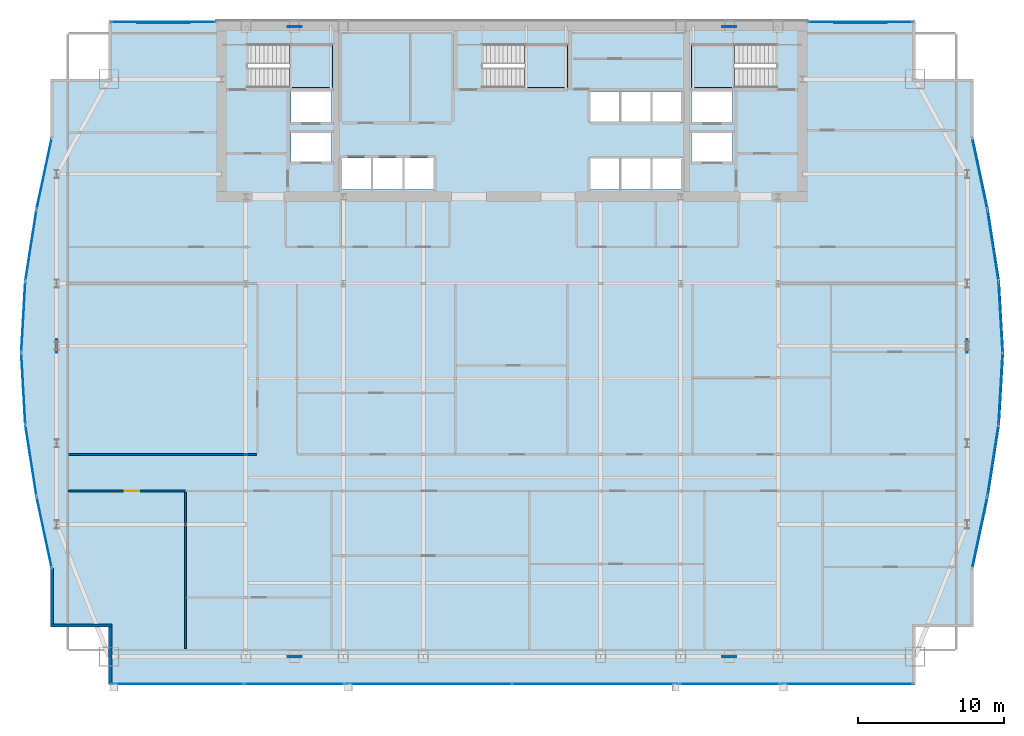
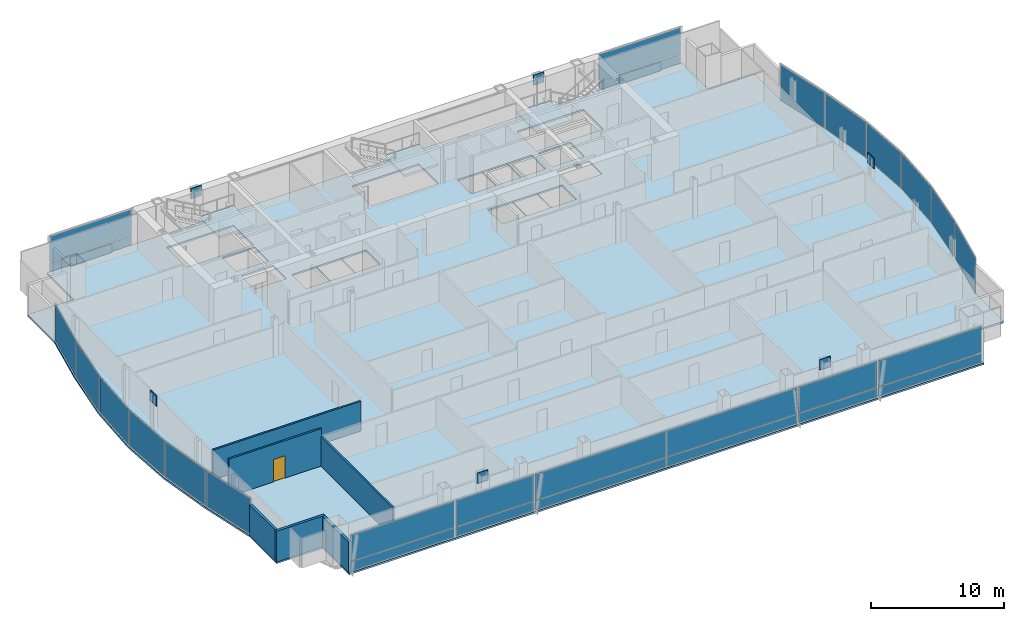
# One storey, part 23 of 29: 36 plates, 6 walls, 4 slabs, 1 door, 1 opening, 22 elements without a shape of their own.
"""IFC4 building model written with IfcOpenShell, lengths in metres."""

from ifc_helpers import new_model, si_unit, direction, frame, frame_2d, origin, origin_2d, place, context, subcontext, project, spatial, polyline, rectangle, outline, extrude, material, layer, layer_set, type_object, element, fill, aggregate, save


model = new_model("IFC4")

# Units and contexts
model_context = context("Model", 3, precision=1e-05, world=origin(), true_north=direction((0.0, 1.0)))
body_context = subcontext(model_context, "Body", "Model", "MODEL_VIEW")
ifc_project = project(units=[si_unit("LENGTHUNIT", "METRE"), si_unit("AREAUNIT", "SQUARE_METRE"), si_unit("VOLUMEUNIT", "CUBIC_METRE"), si_unit("PLANEANGLEUNIT", "RADIAN"), si_unit("MASSUNIT", "GRAM", prefix="KILO")], contexts=[model_context])

# Site, building, storey
site_placement = place(None, origin())
site = spatial("IfcSite", under=ifc_project, at=site_placement, CompositionType="ELEMENT")
building_placement = place(site_placement, origin())
building = spatial("IfcBuilding", under=site, at=building_placement, Name="Khoronbel Lancet Exchange", CompositionType="ELEMENT")
storey_placement = place(building_placement, frame((0.0, 0.0, 165.0)))
storey = spatial("IfcBuildingStorey", under=building, at=storey_placement, Name="L41", CompositionType="ELEMENT", Elevation=165.0)

# Curtain wall, plate
ifc_material_1 = material(Name="Low-E Solar Control Insulating Glass", Category="glass")
curtain_wall_type_1 = type_object("IfcCurtainWallType", Name="CW-4", PredefinedType="NOTDEFINED", material=ifc_material_1)
curtain_wall_1_placement = place(storey_placement, origin())
curtain_wall_1 = element("IfcCurtainWall", 1, at=curtain_wall_1_placement, inside=storey, type_object=curtain_wall_type_1, Name="Unitised curtain wall CW-L41-E05", PredefinedType="NOTDEFINED")
ifc_material_2 = material(Name="Bronze-Anodised Aluminium 6063-T6", Category="aluminium")
ifc_layer_1 = layer(ifc_material_2, 0.050048828125, Name="Bronze-Anodised Aluminium 6063-T6")
ifc_layer_set_1 = layer_set([ifc_layer_1], Name="Bronze-Anodised Aluminium 6063-T6")
plate_type_1 = type_object("IfcPlateType", Name="PLT-CSP1", PredefinedType="SHEET", material=ifc_layer_set_1)
plate_1_placement = place(storey_placement, frame((3.509033203125, 23.587890625, 0.0849609375), z_axis=(0.0, 0.0, 1.0), x_axis=(-0.154012212903, 0.988068944091, 0.0)))
plate_1 = element("IfcPlate", 2, at=plate_1_placement, type_object=plate_type_1, Name="CW4 panel 1.1", PredefinedType="CURTAIN_PANEL", context=body_context, shape_type="SweptSolid", body=[
    extrude(rectangle(XDim=4.819091796875, YDim=0.0380859375, at=origin_2d()), origin(), (0.0, 0.0, 1.0), 3.27001953125),
])
aggregate(curtain_wall_1, [plate_1])

curtain_wall_2_placement = place(storey_placement, origin())
curtain_wall_2 = element("IfcCurtainWall", 3, at=curtain_wall_2_placement, inside=storey, type_object=curtain_wall_type_1, Name="Unitised curtain wall CW-L41-E06", PredefinedType="NOTDEFINED")
plate_2_placement = place(storey_placement, frame((2.986328125, 28.496337890625, 0.0849609375), z_axis=(0.0, 0.0, 1.0), x_axis=(-0.056966357111, 0.998376098551, 0.0)))
plate_2 = element("IfcPlate", 4, at=plate_2_placement, type_object=plate_type_1, Name="CW4 panel 1.1", PredefinedType="CURTAIN_PANEL", context=body_context, shape_type="SweptSolid", body=[
    extrude(rectangle(XDim=4.76513671875, YDim=0.0380859375, at=origin_2d()), origin(), (0.0, 0.0, 1.0), 3.27001953125),
])
aggregate(curtain_wall_2, [plate_2])

curtain_wall_3_placement = place(storey_placement, origin())
curtain_wall_3 = element("IfcCurtainWall", 5, at=curtain_wall_3_placement, inside=storey, type_object=curtain_wall_type_1, Name="Unitised curtain wall CW-L41-E07", PredefinedType="NOTDEFINED")
plate_3_placement = place(storey_placement, frame((2.986328125, 33.403564453125, 0.0849609375), z_axis=(0.0, 0.0, 1.0), x_axis=(0.056966357111, 0.998376098551, 0.0)))
plate_3 = element("IfcPlate", 6, at=plate_3_placement, type_object=plate_type_1, Name="CW4 panel 1.1", PredefinedType="CURTAIN_PANEL", context=body_context, shape_type="SweptSolid", body=[
    extrude(rectangle(XDim=4.76513671875, YDim=0.0380859375, at=origin_2d()), origin(), (0.0, 0.0, 1.0), 3.27001953125),
])
aggregate(curtain_wall_3, [plate_3])

curtain_wall_4_placement = place(storey_placement, origin())
curtain_wall_4 = element("IfcCurtainWall", 7, at=curtain_wall_4_placement, inside=storey, type_object=curtain_wall_type_1, Name="Unitised curtain wall CW-L41-E08", PredefinedType="NOTDEFINED")
plate_4_placement = place(storey_placement, frame((3.509033203125, 38.31201171875, 0.0849609375), z_axis=(0.0, 0.0, 1.0), x_axis=(0.154012212903, 0.988068944091, 0.0)))
plate_4 = element("IfcPlate", 8, at=plate_4_placement, type_object=plate_type_1, Name="CW4 panel 1.1", PredefinedType="CURTAIN_PANEL", context=body_context, shape_type="SweptSolid", body=[
    extrude(rectangle(XDim=4.819091796875, YDim=0.0380859375, at=origin_2d()), origin(), (0.0, 0.0, 1.0), 3.27001953125),
])
aggregate(curtain_wall_4, [plate_4])

curtain_wall_type_2 = type_object("IfcCurtainWallType", Name="CW-3", PredefinedType="NOTDEFINED", material=ifc_material_1)
curtain_wall_5_placement = place(storey_placement, origin())
curtain_wall_5 = element("IfcCurtainWall", 9, at=curtain_wall_5_placement, inside=storey, type_object=curtain_wall_type_2, Name="Unitised curtain wall CW-L41-NWFLK", PredefinedType="NOTDEFINED")
plate_5_placement = place(storey_placement, frame((12.580078125, 53.550048828125, 0.0498046875), z_axis=(0.0, 0.0, 1.0), x_axis=(-1.0, 0.0, 0.0)))
plate_5 = element("IfcPlate", 10, at=plate_5_placement, type_object=plate_type_1, Name="Insulated bronze spandrel cassette CW-L41-NWFLK", PredefinedType="SHEET", context=body_context, shape_type="SweptSolid", body=[
    extrude(rectangle(XDim=3.60009765625, YDim=0.050048828125, at=origin_2d()), origin(), (0.0, 0.0, 1.0), 0.800048828125),
])

curtain_wall_6_placement = place(storey_placement, origin())
curtain_wall_6 = element("IfcCurtainWall", 11, at=curtain_wall_6_placement, inside=storey, type_object=curtain_wall_type_2, Name="Unitised curtain wall CW-L41-NEFLK", PredefinedType="NOTDEFINED")
plate_6_placement = place(storey_placement, frame((60.320068359375, 53.550048828125, 0.0498046875), z_axis=(0.0, 0.0, 1.0), x_axis=(-1.0, 0.0, 0.0)))
plate_6 = element("IfcPlate", 12, at=plate_6_placement, type_object=plate_type_1, Name="Insulated bronze spandrel cassette CW-L41-NEFLK", PredefinedType="SHEET", context=body_context, shape_type="SweptSolid", body=[
    extrude(rectangle(XDim=3.60009765625, YDim=0.050048828125, at=origin_2d()), origin(), (0.0, 0.0, 1.0), 0.800048828125),
])

curtain_wall_7_placement = place(storey_placement, origin())
curtain_wall_7 = element("IfcCurtainWall", 13, at=curtain_wall_7_placement, inside=storey, type_object=curtain_wall_type_1, Name="Unitised curtain wall CW-L41-E18", PredefinedType="NOTDEFINED")
plate_7_placement = place(storey_placement, frame((69.390869140625, 38.31201171875, 0.0849609375), z_axis=(0.0, 0.0, 1.0), x_axis=(0.154012212903, -0.988068944091, 0.0)))
plate_7 = element("IfcPlate", 14, at=plate_7_placement, type_object=plate_type_1, Name="CW4 panel 1.1", PredefinedType="CURTAIN_PANEL", context=body_context, shape_type="SweptSolid", body=[
    extrude(rectangle(XDim=4.819091796875, YDim=0.0380859375, at=origin_2d()), origin(), (0.0, 0.0, 1.0), 3.27001953125),
])
aggregate(curtain_wall_7, [plate_7])

curtain_wall_8_placement = place(storey_placement, origin())
curtain_wall_8 = element("IfcCurtainWall", 15, at=curtain_wall_8_placement, inside=storey, type_object=curtain_wall_type_1, Name="Unitised curtain wall CW-L41-E19", PredefinedType="NOTDEFINED")
plate_8_placement = place(storey_placement, frame((69.91357421875, 33.403564453125, 0.0849609375), z_axis=(0.0, 0.0, 1.0), x_axis=(0.056966357111, -0.998376098551, 0.0)))
plate_8 = element("IfcPlate", 16, at=plate_8_placement, type_object=plate_type_1, Name="CW4 panel 1.1", PredefinedType="CURTAIN_PANEL", context=body_context, shape_type="SweptSolid", body=[
    extrude(rectangle(XDim=4.76513671875, YDim=0.0380859375, at=origin_2d()), origin(), (0.0, 0.0, 1.0), 3.27001953125),
])
aggregate(curtain_wall_8, [plate_8])

curtain_wall_9_placement = place(storey_placement, origin())
curtain_wall_9 = element("IfcCurtainWall", 17, at=curtain_wall_9_placement, inside=storey, type_object=curtain_wall_type_1, Name="Unitised curtain wall CW-L41-E20", PredefinedType="NOTDEFINED")
plate_9_placement = place(storey_placement, frame((69.91357421875, 28.496337890625, 0.0849609375), z_axis=(0.0, 0.0, 1.0), x_axis=(-0.056966357111, -0.998376098551, 0.0)))
plate_9 = element("IfcPlate", 18, at=plate_9_placement, type_object=plate_type_1, Name="CW4 panel 1.1", PredefinedType="CURTAIN_PANEL", context=body_context, shape_type="SweptSolid", body=[
    extrude(rectangle(XDim=4.76513671875, YDim=0.0380859375, at=origin_2d()), origin(), (0.0, 0.0, 1.0), 3.27001953125),
])
aggregate(curtain_wall_9, [plate_9])

curtain_wall_10_placement = place(storey_placement, origin())
curtain_wall_10 = element("IfcCurtainWall", 19, at=curtain_wall_10_placement, inside=storey, type_object=curtain_wall_type_1, Name="Unitised curtain wall CW-L41-E21", PredefinedType="NOTDEFINED")
plate_10_placement = place(storey_placement, frame((69.390869140625, 23.587890625, 0.0849609375), z_axis=(0.0, 0.0, 1.0), x_axis=(-0.154012212903, -0.988068944091, 0.0)))
plate_10 = element("IfcPlate", 20, at=plate_10_placement, type_object=plate_type_1, Name="CW4 panel 1.1", PredefinedType="CURTAIN_PANEL", context=body_context, shape_type="SweptSolid", body=[
    extrude(rectangle(XDim=4.819091796875, YDim=0.0380859375, at=origin_2d()), origin(), (0.0, 0.0, 1.0), 3.27001953125),
])
aggregate(curtain_wall_10, [plate_10])

# Curtain wall, plates
curtain_wall_11_placement = place(storey_placement, origin())
curtain_wall_11 = element("IfcCurtainWall", 21, at=curtain_wall_11_placement, inside=storey, type_object=curtain_wall_type_2, Name="Unitised curtain wall CW-L41-SWB", PredefinedType="NOTDEFINED")
plate_11_placement = place(storey_placement, frame((21.550048828125, 8.2900390625, 0.0849609375), z_axis=(0.0, 0.0, 1.0), x_axis=(1.0, 0.0, 0.0)))
plate_11 = element("IfcPlate", 22, at=plate_11_placement, type_object=plate_type_1, Name="CW3 panel 1.1", PredefinedType="CURTAIN_PANEL", context=body_context, shape_type="SweptSolid", body=[
    extrude(rectangle(XDim=6.72998046875, YDim=0.0380859375, at=origin_2d()), origin(), (0.0, 0.0, 1.0), 0.822509765625),
])
plate_12_placement = place(storey_placement, frame((21.550048828125, 8.2900390625, 0.99267578125), z_axis=(0.0, 0.0, 1.0), x_axis=(1.0, 0.0, 0.0)))
plate_12 = element("IfcPlate", 23, at=plate_12_placement, type_object=plate_type_1, Name="CW3 panel 1.2", PredefinedType="CURTAIN_PANEL", context=body_context, shape_type="SweptSolid", body=[
    extrude(rectangle(XDim=6.72998046875, YDim=0.0380859375, at=origin_2d()), origin(), (0.0, 0.0, 1.0), 2.362548828125),
])
aggregate(curtain_wall_11, [plate_11, plate_12])

curtain_wall_12_placement = place(storey_placement, origin())
curtain_wall_12 = element("IfcCurtainWall", 24, at=curtain_wall_12_placement, inside=storey, type_object=curtain_wall_type_2, Name="Unitised curtain wall CW-L41-SEB", PredefinedType="NOTDEFINED")
plate_13_placement = place(storey_placement, frame((51.35009765625, 8.2900390625, 0.0849609375), z_axis=(0.0, 0.0, 1.0), x_axis=(1.0, 0.0, 0.0)))
plate_13 = element("IfcPlate", 25, at=plate_13_placement, type_object=plate_type_1, Name="CW3 panel 1.1", PredefinedType="CURTAIN_PANEL", context=body_context, shape_type="SweptSolid", body=[
    extrude(rectangle(XDim=6.72998046875, YDim=0.0380859375, at=origin_2d()), origin(), (0.0, 0.0, 1.0), 0.822509765625),
])
plate_14_placement = place(storey_placement, frame((51.35009765625, 8.2900390625, 0.99267578125), z_axis=(0.0, 0.0, 1.0), x_axis=(1.0, 0.0, 0.0)))
plate_14 = element("IfcPlate", 26, at=plate_14_placement, type_object=plate_type_1, Name="CW3 panel 1.2", PredefinedType="CURTAIN_PANEL", context=body_context, shape_type="SweptSolid", body=[
    extrude(rectangle(XDim=6.72998046875, YDim=0.0380859375, at=origin_2d()), origin(), (0.0, 0.0, 1.0), 2.362548828125),
])
aggregate(curtain_wall_12, [plate_13, plate_14])

# Plate
ifc_layer_2 = layer(ifc_material_1, 0.035888671875, Name="Low-E Solar Control Insulating Glass")
ifc_layer_set_2 = layer_set([ifc_layer_2], Name="Low-E Solar Control Insulating Glass")
plate_type_2 = type_object("IfcPlateType", Name="PLT-CWP1", PredefinedType="CURTAIN_PANEL", material=ifc_layer_set_2)
plate_15_placement = place(storey_placement, frame((12.580078125, 53.610107421875, 0.0849609375), z_axis=(0.0, 0.0, 1.0), x_axis=(-1.0, 0.0, 0.0)))
plate_15 = element("IfcPlate", 27, at=plate_15_placement, type_object=plate_type_2, Name="CW3 panel 1.1", PredefinedType="CURTAIN_PANEL", context=body_context, shape_type="SweptSolid", body=[
    extrude(rectangle(XDim=7.110107421875, YDim=0.0380859375, at=origin_2d()), origin(), (0.0, 0.0, 1.0), 0.822509765625),
])

plate_16_placement = place(storey_placement, frame((12.580078125, 53.610107421875, 0.99267578125), z_axis=(0.0, 0.0, 1.0), x_axis=(-1.0, 0.0, 0.0)))
plate_16 = element("IfcPlate", 28, at=plate_16_placement, type_object=plate_type_2, Name="CW3 panel 1.2", PredefinedType="CURTAIN_PANEL", context=body_context, shape_type="SweptSolid", body=[
    extrude(rectangle(XDim=7.110107421875, YDim=0.0380859375, at=origin_2d()), origin(), (0.0, 0.0, 1.0), 2.362548828125),
])

aggregate(curtain_wall_5, [plate_15, plate_16, plate_5])

plate_17_placement = place(storey_placement, frame((60.320068359375, 53.610107421875, 0.0849609375), z_axis=(0.0, 0.0, 1.0), x_axis=(-1.0, 0.0, 0.0)))
plate_17 = element("IfcPlate", 29, at=plate_17_placement, type_object=plate_type_2, Name="CW3 panel 1.1", PredefinedType="CURTAIN_PANEL", context=body_context, shape_type="SweptSolid", body=[
    extrude(rectangle(XDim=7.110107421875, YDim=0.0380859375, at=origin_2d()), origin(), (0.0, 0.0, 1.0), 0.822509765625),
])

plate_18_placement = place(storey_placement, frame((60.320068359375, 53.610107421875, 0.99267578125), z_axis=(0.0, 0.0, 1.0), x_axis=(-1.0, 0.0, 0.0)))
plate_18 = element("IfcPlate", 30, at=plate_18_placement, type_object=plate_type_2, Name="CW3 panel 1.2", PredefinedType="CURTAIN_PANEL", context=body_context, shape_type="SweptSolid", body=[
    extrude(rectangle(XDim=7.110107421875, YDim=0.0380859375, at=origin_2d()), origin(), (0.0, 0.0, 1.0), 2.362548828125),
])

aggregate(curtain_wall_6, [plate_17, plate_18, plate_6])

# Curtain wall, plates
curtain_wall_13_placement = place(storey_placement, origin())
curtain_wall_13 = element("IfcCurtainWall", 31, at=curtain_wall_13_placement, inside=storey, type_object=curtain_wall_type_2, Name="Unitised curtain wall CW-L41-SWV", PredefinedType="NOTDEFINED")
plate_19_placement = place(storey_placement, frame((13.52001953125, 8.2900390625, 0.0849609375), z_axis=(0.0, 0.0, 1.0), x_axis=(1.0, 0.0, 0.0)))
plate_19 = element("IfcPlate", 32, at=plate_19_placement, type_object=plate_type_2, Name="CW3 panel 1.1", PredefinedType="CURTAIN_PANEL", context=body_context, shape_type="SweptSolid", body=[
    extrude(rectangle(XDim=8.989990234375, YDim=0.0380859375, at=origin_2d()), origin(), (0.0, 0.0, 1.0), 0.822509765625),
])
plate_20_placement = place(storey_placement, frame((13.52001953125, 8.2900390625, 0.99267578125), z_axis=(0.0, 0.0, 1.0), x_axis=(1.0, 0.0, 0.0)))
plate_20 = element("IfcPlate", 33, at=plate_20_placement, type_object=plate_type_2, Name="CW3 panel 1.2", PredefinedType="CURTAIN_PANEL", context=body_context, shape_type="SweptSolid", body=[
    extrude(rectangle(XDim=8.989990234375, YDim=0.0380859375, at=origin_2d()), origin(), (0.0, 0.0, 1.0), 2.362548828125),
])
aggregate(curtain_wall_13, [plate_19, plate_20])

curtain_wall_14_placement = place(storey_placement, origin())
curtain_wall_14 = element("IfcCurtainWall", 34, at=curtain_wall_14_placement, inside=storey, type_object=curtain_wall_type_2, Name="Unitised curtain wall CW-L41-SCV", PredefinedType="NOTDEFINED")
plate_21_placement = place(storey_placement, frame((30.746337890625, 8.2900390625, 0.0849609375), z_axis=(0.0, 0.0, 1.0), x_axis=(1.0, 0.0, 0.0)))
plate_21 = element("IfcPlate", 35, at=plate_21_placement, type_object=plate_type_2, Name="CW3 panel 1.1", PredefinedType="CURTAIN_PANEL", context=body_context, shape_type="SweptSolid", body=[
    extrude(rectangle(XDim=11.322509765625, YDim=0.0380859375, at=origin_2d()), origin(), (0.0, 0.0, 1.0), 0.822509765625),
])
plate_22_placement = place(storey_placement, frame((30.746337890625, 8.2900390625, 0.99267578125), z_axis=(0.0, 0.0, 1.0), x_axis=(1.0, 0.0, 0.0)))
plate_22 = element("IfcPlate", 36, at=plate_22_placement, type_object=plate_type_2, Name="CW3 panel 1.2", PredefinedType="CURTAIN_PANEL", context=body_context, shape_type="SweptSolid", body=[
    extrude(rectangle(XDim=11.322509765625, YDim=0.0380859375, at=origin_2d()), origin(), (0.0, 0.0, 1.0), 2.362548828125),
])
plate_23_placement = place(storey_placement, frame((42.15380859375, 8.2900390625, 0.0849609375), z_axis=(0.0, 0.0, 1.0), x_axis=(1.0, 0.0, 0.0)))
plate_23 = element("IfcPlate", 37, at=plate_23_placement, type_object=plate_type_2, Name="CW3 panel 2.1", PredefinedType="CURTAIN_PANEL", context=body_context, shape_type="SweptSolid", body=[
    extrude(rectangle(XDim=11.322509765625, YDim=0.0380859375, at=origin_2d()), origin(), (0.0, 0.0, 1.0), 0.822509765625),
])
plate_24_placement = place(storey_placement, frame((42.15380859375, 8.2900390625, 0.99267578125), z_axis=(0.0, 0.0, 1.0), x_axis=(1.0, 0.0, 0.0)))
plate_24 = element("IfcPlate", 38, at=plate_24_placement, type_object=plate_type_2, Name="CW3 panel 2.2", PredefinedType="CURTAIN_PANEL", context=body_context, shape_type="SweptSolid", body=[
    extrude(rectangle(XDim=11.322509765625, YDim=0.0380859375, at=origin_2d()), origin(), (0.0, 0.0, 1.0), 2.362548828125),
])
aggregate(curtain_wall_14, [plate_21, plate_22, plate_23, plate_24])

curtain_wall_15_placement = place(storey_placement, origin())
curtain_wall_15 = element("IfcCurtainWall", 39, at=curtain_wall_15_placement, inside=storey, type_object=curtain_wall_type_2, Name="Unitised curtain wall CW-L41-SEV", PredefinedType="NOTDEFINED")
plate_25_placement = place(storey_placement, frame((59.3798828125, 8.2900390625, 0.0849609375), z_axis=(0.0, 0.0, 1.0), x_axis=(1.0, 0.0, 0.0)))
plate_25 = element("IfcPlate", 40, at=plate_25_placement, type_object=plate_type_2, Name="CW3 panel 1.1", PredefinedType="CURTAIN_PANEL", context=body_context, shape_type="SweptSolid", body=[
    extrude(rectangle(XDim=8.989990234375, YDim=0.0380859375, at=origin_2d()), origin(), (0.0, 0.0, 1.0), 0.822509765625),
])
plate_26_placement = place(storey_placement, frame((59.3798828125, 8.2900390625, 0.99267578125), z_axis=(0.0, 0.0, 1.0), x_axis=(1.0, 0.0, 0.0)))
plate_26 = element("IfcPlate", 41, at=plate_26_placement, type_object=plate_type_2, Name="CW3 panel 1.2", PredefinedType="CURTAIN_PANEL", context=body_context, shape_type="SweptSolid", body=[
    extrude(rectangle(XDim=8.989990234375, YDim=0.0380859375, at=origin_2d()), origin(), (0.0, 0.0, 1.0), 2.362548828125),
])
aggregate(curtain_wall_15, [plate_25, plate_26])

# Curtain wall, plate
curtain_wall_16_placement = place(storey_placement, origin())
curtain_wall_16 = element("IfcCurtainWall", 42, at=curtain_wall_16_placement, inside=storey, type_object=curtain_wall_type_1, Name="Unitised curtain wall CW-L41-E04", PredefinedType="NOTDEFINED")
ifc_material_3 = material(Name="Ceramic-Fritted Laminated Insulating Glass", Category="glass")
ifc_layer_3 = layer(ifc_material_3, 0.0419921875, Name="Ceramic-Fritted Laminated Insulating Glass")
ifc_layer_set_3 = layer_set([ifc_layer_3], Name="Ceramic-Fritted Laminated Insulating Glass")
plate_type_3 = type_object("IfcPlateType", Name="PLT-CWP2", PredefinedType="CURTAIN_PANEL", material=ifc_layer_set_3)
plate_27_placement = place(storey_placement, frame((4.415771484375, 18.671142578125, 0.0849609375), z_axis=(0.0, 0.0, 1.0), x_axis=(-0.208249574031, 0.978075720441, 0.0)))
plate_27 = element("IfcPlate", 43, at=plate_27_placement, type_object=plate_type_3, Name="CW4 panel 1.1", PredefinedType="CURTAIN_PANEL", context=body_context, shape_type="SweptSolid", body=[
    extrude(rectangle(XDim=4.8837890625, YDim=0.0380859375, at=origin_2d()), origin(), (0.0, 0.0, 1.0), 3.27001953125),
])
aggregate(curtain_wall_16, [plate_27])

curtain_wall_17_placement = place(storey_placement, origin())
curtain_wall_17 = element("IfcCurtainWall", 44, at=curtain_wall_17_placement, inside=storey, type_object=curtain_wall_type_1, Name="Unitised curtain wall CW-L41-E09", PredefinedType="NOTDEFINED")
plate_28_placement = place(storey_placement, frame((4.415771484375, 43.228759765625, 0.0849609375), z_axis=(0.0, 0.0, 1.0), x_axis=(0.208249574031, 0.978075720441, 0.0)))
plate_28 = element("IfcPlate", 45, at=plate_28_placement, type_object=plate_type_3, Name="CW4 panel 1.1", PredefinedType="CURTAIN_PANEL", context=body_context, shape_type="SweptSolid", body=[
    extrude(rectangle(XDim=4.8837890625, YDim=0.0380859375, at=origin_2d()), origin(), (0.0, 0.0, 1.0), 3.27001953125),
])
aggregate(curtain_wall_17, [plate_28])

curtain_wall_18_placement = place(storey_placement, origin())
curtain_wall_18 = element("IfcCurtainWall", 46, at=curtain_wall_18_placement, inside=storey, type_object=curtain_wall_type_1, Name="Unitised curtain wall CW-L41-E17", PredefinedType="NOTDEFINED")
plate_29_placement = place(storey_placement, frame((68.484130859375, 43.228759765625, 0.0849609375), z_axis=(0.0, 0.0, 1.0), x_axis=(0.208249574031, -0.978075720441, 0.0)))
plate_29 = element("IfcPlate", 47, at=plate_29_placement, type_object=plate_type_3, Name="CW4 panel 1.1", PredefinedType="CURTAIN_PANEL", context=body_context, shape_type="SweptSolid", body=[
    extrude(rectangle(XDim=4.8837890625, YDim=0.0380859375, at=origin_2d()), origin(), (0.0, 0.0, 1.0), 3.27001953125),
])
aggregate(curtain_wall_18, [plate_29])

curtain_wall_19_placement = place(storey_placement, origin())
curtain_wall_19 = element("IfcCurtainWall", 48, at=curtain_wall_19_placement, inside=storey, type_object=curtain_wall_type_1, Name="Unitised curtain wall CW-L41-E22", PredefinedType="NOTDEFINED")
plate_30_placement = place(storey_placement, frame((68.484130859375, 18.671142578125, 0.0849609375), z_axis=(0.0, 0.0, 1.0), x_axis=(-0.208249574031, -0.978075720441, 0.0)))
plate_30 = element("IfcPlate", 49, at=plate_30_placement, type_object=plate_type_3, Name="CW4 panel 1.1", PredefinedType="CURTAIN_PANEL", context=body_context, shape_type="SweptSolid", body=[
    extrude(rectangle(XDim=4.8837890625, YDim=0.0380859375, at=origin_2d()), origin(), (0.0, 0.0, 1.0), 3.27001953125),
])
aggregate(curtain_wall_19, [plate_30])

# Plates
ifc_material_4 = material(Name="Steel S460", Category="steel")
ifc_layer_4 = layer(ifc_material_4, 0.06005859375, Name="Steel S460")
ifc_layer_set_4 = layer_set([ifc_layer_4], Name="Steel S460")
plate_type_4 = type_object("IfcPlateType", Name="PLT-ND2", PredefinedType="USERDEFINED", material=ifc_layer_set_4)
for number, where, z_axis, x_axis, name in (
    (50, (21.5625, 10.14990234375, 2.77490234375), (0.0, 0.0, 1.0), (1.0, 0.0, 0.0), "ND2 perimeter brace node gusset T13-S-W"),
    (51, (51.33740234375, 10.14990234375, 2.77490234375), (0.0, 0.0, 1.0), (1.0, 0.0, 0.0), "ND2 perimeter brace node gusset T13-S-E"),
    (52, (21.5625, 53.280029296875, 2.77490234375), (0.0, 0.0, 1.0), (1.0, 0.0, 0.0), "ND2 perimeter brace node gusset T13-N-W"),
    (53, (51.33740234375, 53.280029296875, 2.77490234375), (0.0, 0.0, 1.0), (1.0, 0.0, 0.0), "ND2 perimeter brace node gusset T13-N-E"),
    (54, (5.27001953125, 31.425048828125, 2.77490234375), (0.0, 0.0, 1.0), (0.0, 1.0, 0.0), "ND2 perimeter brace node gusset T13-W-P"),
    (55, (67.6298828125, 31.425048828125, 2.77490234375), (0.0, 0.0, 1.0), (0.0, 1.0, 0.0), "ND2 perimeter brace node gusset T13-E-P"),
):
    element("IfcPlate", number, at=place(storey_placement, frame(where, z_axis=z_axis, x_axis=x_axis)), inside=storey, type_object=plate_type_4, Name=name, ObjectType="GUSSET_PLATE", PredefinedType="USERDEFINED", context=body_context, shape_type="SweptSolid", body=[
        extrude(rectangle(XDim=0.949951171875, YDim=0.06005859375, at=origin_2d()), origin(), (0.0, 0.0, 1.0), 0.949951171875),
    ])

# Slab
ifc_material_5 = material(Name="Concrete C40/50", Category="concrete")
ifc_layer_5 = layer(ifc_material_5, 0.159912109375, Name="Concrete C40/50")
ifc_layer_set_5 = layer_set([ifc_layer_5], Name="Concrete C40/50")
slab_type_1 = type_object("IfcSlabType", Name="SL-FL160", PredefinedType="FLOOR", material=ifc_layer_set_5)
slab_1_placement = place(storey_placement, frame((0.0, 0.0, -0.159912109375)))
element("IfcSlab", 56, at=slab_1_placement, inside=storey, type_object=slab_type_1, Name="Level L41 composite structural floor slab", PredefinedType="FLOOR", context=body_context, shape_type="SweptSolid", body=[
    extrude(outline(polyline([(8.85009765625, 8.199951171875), (64.050048828125, 8.199951171875), (64.050048828125, 12.199951171875), (68.050048828125, 12.199951171875), (68.050048828125, 16.199951171875), (69.0966796875, 21.11669921875), (69.86328125, 26.033203125), (70.143798828125, 30.949951171875), (69.86328125, 35.86669921875), (69.0966796875, 40.783203125), (68.050048828125, 45.699951171875), (68.050048828125, 49.699951171875), (64.050048828125, 49.699951171875), (64.050048828125, 53.699951171875), (8.85009765625, 53.699951171875), (8.85009765625, 49.699951171875), (4.85009765625, 49.699951171875), (4.85009765625, 45.699951171875), (3.80322265625, 40.783203125), (3.036865234375, 35.86669921875), (2.75634765625, 30.949951171875), (3.036865234375, 26.033203125), (3.80322265625, 21.11669921875), (4.85009765625, 16.199951171875), (4.85009765625, 12.199951171875), (8.85009765625, 12.199951171875), (8.85009765625, 8.199951171875)]), holes=[polyline([(18.324951171875, 49.1201171875), (24.14990234375, 49.1201171875), (24.14990234375, 52.10009765625), (18.324951171875, 52.10009765625), (18.324951171875, 49.1201171875)]), polyline([(48.75, 49.1201171875), (54.574951171875, 49.1201171875), (54.574951171875, 52.10009765625), (48.75, 52.10009765625), (48.75, 49.1201171875)]), polyline([(34.425048828125, 49.1201171875), (40.25, 49.1201171875), (40.25, 52.10009765625), (34.425048828125, 52.10009765625), (34.425048828125, 49.1201171875)]), polyline([(24.699951171875, 42.14990234375), (26.840087890625, 42.14990234375), (26.840087890625, 44.300048828125), (24.699951171875, 44.300048828125), (24.699951171875, 42.14990234375)]), polyline([(26.860107421875, 42.14990234375), (29.0, 42.14990234375), (29.0, 44.300048828125), (26.860107421875, 44.300048828125), (26.860107421875, 42.14990234375)]), polyline([(29.02001953125, 42.14990234375), (31.159912109375, 42.14990234375), (31.159912109375, 44.300048828125), (29.02001953125, 44.300048828125), (29.02001953125, 42.14990234375)]), polyline([(41.739990234375, 46.75), (43.8798828125, 46.75), (43.8798828125, 48.85009765625), (41.739990234375, 48.85009765625), (41.739990234375, 46.75)]), polyline([(43.89990234375, 46.75), (46.0400390625, 46.75), (46.0400390625, 48.85009765625), (43.89990234375, 48.85009765625), (43.89990234375, 46.75)]), polyline([(46.06005859375, 46.75), (48.199951171875, 46.75), (48.199951171875, 48.85009765625), (46.06005859375, 48.85009765625), (46.06005859375, 46.75)]), polyline([(41.739990234375, 42.14990234375), (43.8798828125, 42.14990234375), (43.8798828125, 44.300048828125), (41.739990234375, 44.300048828125), (41.739990234375, 42.14990234375)]), polyline([(43.89990234375, 42.14990234375), (46.0400390625, 42.14990234375), (46.0400390625, 44.300048828125), (43.89990234375, 44.300048828125), (43.89990234375, 42.14990234375)]), polyline([(46.06005859375, 42.14990234375), (48.199951171875, 42.14990234375), (48.199951171875, 44.300048828125), (46.06005859375, 44.300048828125), (46.06005859375, 42.14990234375)]), polyline([(21.300048828125, 46.75), (24.10009765625, 46.75), (24.10009765625, 48.85009765625), (21.300048828125, 48.85009765625), (21.300048828125, 46.75)]), polyline([(48.75, 46.75), (51.550048828125, 46.75), (51.550048828125, 48.85009765625), (48.75, 48.85009765625), (48.75, 46.75)]), polyline([(21.300048828125, 44.050048828125), (24.10009765625, 44.050048828125), (24.10009765625, 46.050048828125), (21.300048828125, 46.050048828125), (21.300048828125, 44.050048828125)]), polyline([(48.75, 44.050048828125), (51.550048828125, 44.050048828125), (51.550048828125, 46.050048828125), (48.75, 46.050048828125), (48.75, 44.050048828125)])]), origin(), (0.0, 0.0, 1.0), 0.159912109375),
])

# Stair, slab
stair_type = type_object("IfcStairType", Name="STR-CORE150", PredefinedType="HALF_TURN_STAIR", material=ifc_material_5)
stair_1_placement = place(storey_placement, origin())
stair_1 = element("IfcStair", 57, at=stair_1_placement, inside=storey, type_object=stair_type, Name="L41 Protected Exit Stair ST1", PredefinedType="HALF_TURN_STAIR")
ifc_layer_6 = layer(ifc_material_5, 0.199951171875, Name="Concrete C40/50")
ifc_layer_set_6 = layer_set([ifc_layer_6], Name="Concrete C40/50")
slab_type_2 = type_object("IfcSlabType", Name="SL-LND180", PredefinedType="LANDING", material=ifc_layer_set_6)
slab_2_placement = place(storey_placement, frame((0.0, 0.0, 1.60009765625)))
slab_2 = element("IfcSlab", 58, at=slab_2_placement, type_object=slab_type_2, Name="ST1 landing 1", PredefinedType="LANDING", context=body_context, shape_type="SweptSolid", body=[
    extrude(outline(polyline([(21.199951171875, 49.1201171875), (24.14990234375, 49.1201171875), (24.14990234375, 52.10009765625), (21.199951171875, 52.10009765625), (21.199951171875, 49.1201171875)])), origin(), (0.0, 0.0, 1.0), 0.199951171875),
])
aggregate(stair_1, [slab_2])

stair_2_placement = place(storey_placement, origin())
stair_2 = element("IfcStair", 59, at=stair_2_placement, inside=storey, type_object=stair_type, Name="L41 Protected Exit Stair ST2", PredefinedType="HALF_TURN_STAIR")
slab_3_placement = place(storey_placement, frame((0.0, 0.0, 1.60009765625)))
slab_3 = element("IfcSlab", 60, at=slab_3_placement, type_object=slab_type_2, Name="ST2 landing 1", PredefinedType="LANDING", context=body_context, shape_type="SweptSolid", body=[
    extrude(outline(polyline([(51.699951171875, 52.10009765625), (48.75, 52.10009765625), (48.75, 49.1201171875), (51.699951171875, 49.1201171875), (51.699951171875, 52.10009765625)])), origin(), (0.0, 0.0, 1.0), 0.199951171875),
])
aggregate(stair_2, [slab_3])

stair_3_placement = place(storey_placement, origin())
stair_3 = element("IfcStair", 61, at=stair_3_placement, inside=storey, type_object=stair_type, Name="L41 Protected Exit Stair ST3", PredefinedType="HALF_TURN_STAIR")
slab_4_placement = place(storey_placement, frame((0.0, 0.0, 1.60009765625)))
slab_4 = element("IfcSlab", 62, at=slab_4_placement, type_object=slab_type_2, Name="ST3 landing 1", PredefinedType="LANDING", context=body_context, shape_type="SweptSolid", body=[
    extrude(outline(polyline([(37.300048828125, 49.1201171875), (40.25, 49.1201171875), (40.25, 52.10009765625), (37.300048828125, 52.10009765625), (37.300048828125, 49.1201171875)])), origin(), (0.0, 0.0, 1.0), 0.199951171875),
])
aggregate(stair_3, [slab_4])

# Walls
ifc_material_6 = material(Name="Precast concrete C40/50", Category="concrete")
ifc_layer_7 = layer(ifc_material_6, 0.25, Name="Precast concrete C40/50")
ifc_layer_set_7 = layer_set([ifc_layer_7], Name="Precast concrete C40/50")
wall_type_1 = type_object("IfcWallType", Name="WL-EXT250", PredefinedType="SOLIDWALL", material=ifc_layer_set_7)
wall_1_placement = place(storey_placement, frame((8.93994140625, 8.27001953125, 0.0), z_axis=(0.0, 0.0, 1.0), x_axis=(0.0, 1.0, 0.0)))
element("IfcWall", 63, at=wall_1_placement, inside=storey, type_object=wall_type_1, Name="Level L41 notched-corner limestone pier 01", PredefinedType="SOLIDWALL", context=body_context, shape_type="SweptSolid", body=[
    extrude(rectangle(XDim=3.909912109375, YDim=0.219970703125, at=frame_2d((1.955078125, 0.0))), origin(), (0.0, 0.0, 1.0), 2.830078125),
])
wall_2_placement = place(storey_placement, frame((9.050048828125, 12.2900390625, 0.0), z_axis=(0.0, 0.0, 1.0), x_axis=(-1.0, 0.0, 0.0)))
element("IfcWall", 64, at=wall_2_placement, inside=storey, type_object=wall_type_1, Name="Level L41 notched-corner limestone pier 02", PredefinedType="SOLIDWALL", context=body_context, shape_type="SweptSolid", body=[
    extrude(rectangle(XDim=4.219970703125, YDim=0.219970703125, at=frame_2d((2.10986328125, 0.0))), origin(), (0.0, 0.0, 1.0), 2.830078125),
])
wall_3_placement = place(storey_placement, frame((4.93994140625, 12.39990234375, 0.0), z_axis=(0.0, 0.0, 1.0), x_axis=(0.0, 1.0, 0.0)))
element("IfcWall", 65, at=wall_3_placement, inside=storey, type_object=wall_type_1, Name="Level L41 notched-corner limestone pier 03", PredefinedType="SOLIDWALL", context=body_context, shape_type="SweptSolid", body=[
    extrude(rectangle(XDim=3.82958984375, YDim=0.219970703125, at=frame_2d((1.914794921875, 0.0))), origin(), (0.0, 0.0, 1.0), 2.830078125),
])
ifc_material_7 = material(Name="Fire-Rated Twin-Stud Acoustic Gypsum Partition 150 mm", Category="gypsum")
ifc_layer_8 = layer(ifc_material_7, 0.14990234375, Name="Fire-Rated Twin-Stud Acoustic Gypsum Partition 150 mm")
ifc_layer_set_8 = layer_set([ifc_layer_8], Name="Fire-Rated Twin-Stud Acoustic Gypsum Partition 150 mm")
wall_type_2 = type_object("IfcWallType", Name="WL-PRT150C", PredefinedType="PARTITIONING", material=ifc_layer_set_8)
wall_4_placement = place(storey_placement, frame((14.0927734375, 10.6650390625, 0.0), z_axis=(0.0, 0.0, 1.0), x_axis=(0.0, 1.0, 0.0)))
element("IfcWall", 66, at=wall_4_placement, inside=storey, type_object=wall_type_2, Name="Level L41 interior partition PW-Z2S-V1", PredefinedType="PARTITIONING", context=body_context, shape_type="SweptSolid", body=[
    extrude(rectangle(XDim=10.75, YDim=0.14990234375, at=frame_2d((5.375, 0.0))), origin(), (0.0, 0.0, 1.0), 2.72998046875),
])
wall_5_placement = place(storey_placement, frame((6.094970703125, 24.0, 0.0), z_axis=(0.0, 0.0, 1.0), x_axis=(1.0, 0.0, 0.0)))
element("IfcWall", 67, at=wall_5_placement, inside=storey, type_object=wall_type_2, Name="Level L41 interior partition PW-Z2-WS", PredefinedType="PARTITIONING", context=body_context, shape_type="SweptSolid", body=[
    extrude(rectangle(XDim=12.844970703125, YDim=0.14990234375, at=frame_2d((6.42236328125, 0.0))), origin(), (0.0, 0.0, 1.0), 2.72998046875),
])

# Wall, opening, door
ifc_material_8 = material(Name="Fire-Rated Twin-Stud Acoustic Gypsum Partition 160 mm", Category="gypsum")
ifc_layer_9 = layer(ifc_material_8, 0.159912109375, Name="Fire-Rated Twin-Stud Acoustic Gypsum Partition 160 mm")
ifc_layer_set_9 = layer_set([ifc_layer_9], Name="Fire-Rated Twin-Stud Acoustic Gypsum Partition 160 mm")
wall_type_3 = type_object("IfcWallType", Name="WL-PRT160C", PredefinedType="PARTITIONING", material=ifc_layer_set_9)
wall_6_placement = place(storey_placement, frame((6.030029296875, 21.5, 0.0), z_axis=(0.0, 0.0, 1.0), x_axis=(1.0, 0.0, 0.0)))
wall_6 = element("IfcWall", 68, at=wall_6_placement, inside=storey, type_object=wall_type_3, Name="Level L41 interior partition PW-Z2S-COR1", PredefinedType="PARTITIONING", context=body_context, shape_type="SweptSolid", body=[
    extrude(rectangle(XDim=8.062744140625, YDim=0.159912109375, at=frame_2d((4.03125, 0.0))), origin(), (0.0, 0.0, 1.0), 3.43994140625),
])
opening_placement = place(wall_6_placement, frame((3.886474609375, 0.0, 0.0)))
opening = element("IfcOpeningElement", 69, at=opening_placement, cuts=wall_6, Name="Opening D2", PredefinedType="OPENING", context=body_context, shape_type="SweptSolid", body=[
    extrude(rectangle(XDim=1.0, YDim=2.050048828125, at=frame_2d((0.5, 1.02490234375))), frame((0.0, 0.08984375, 0.0), z_axis=(0.0, -1.0, 0.0), x_axis=(1.0, 0.0, 0.0)), (0.0, 0.0, 1.0), 0.179931640625),
])
ifc_material_9 = material(Name="Acoustic Veneered Timber & Bronze Frame Door", Category="wood")
door_type = type_object("IfcDoorType", Name="DR-D2", OperationType="NOTDEFINED", PredefinedType="DOOR", material=ifc_material_9)
door_placement = place(opening_placement, origin())
door = element("IfcDoor", 70, at=door_placement, inside=storey, type_object=door_type, Name="Z2S bay 1 door L41-1", OperationType="SINGLE_SWING_RIGHT", OverallHeight=2.050048828125, OverallWidth=1.0, PredefinedType="DOOR", context=body_context, shape_type="SweptSolid", body=[
    extrude(rectangle(XDim=1.0, YDim=2.050048828125, at=frame_2d((0.5, 1.02490234375))), frame((0.0, 0.02490234375, 0.0), z_axis=(0.0, -1.0, 0.0), x_axis=(1.0, 0.0, 0.0)), (0.0, 0.0, 1.0), 0.050048828125),
])
fill(opening, door)

save(model, "model.ifc")
